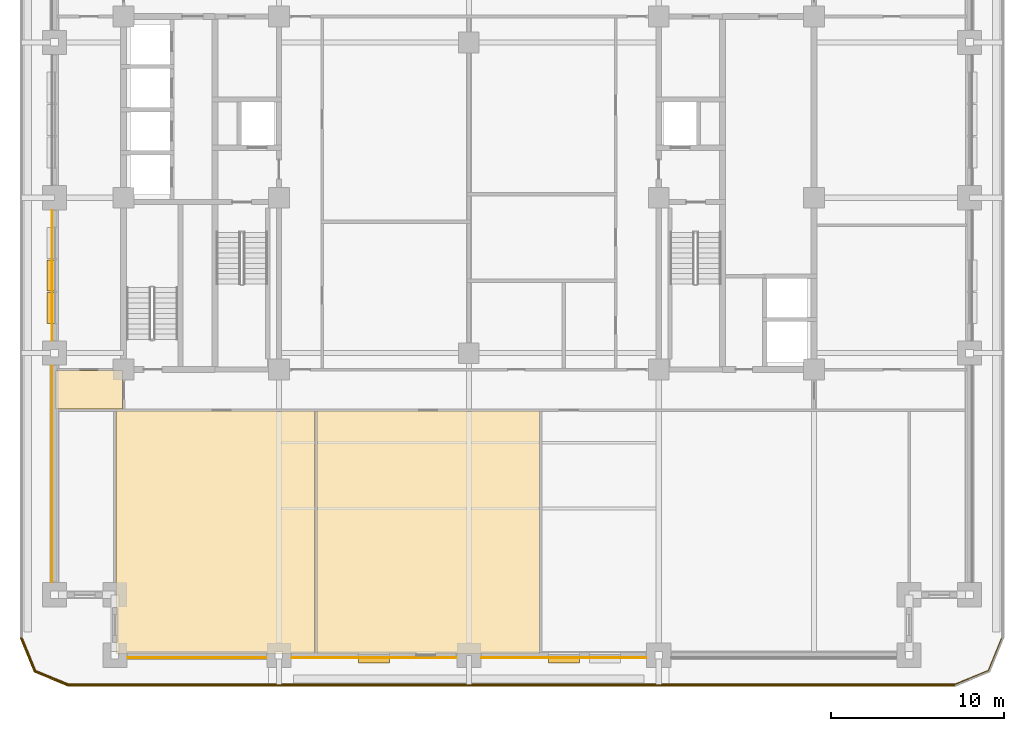
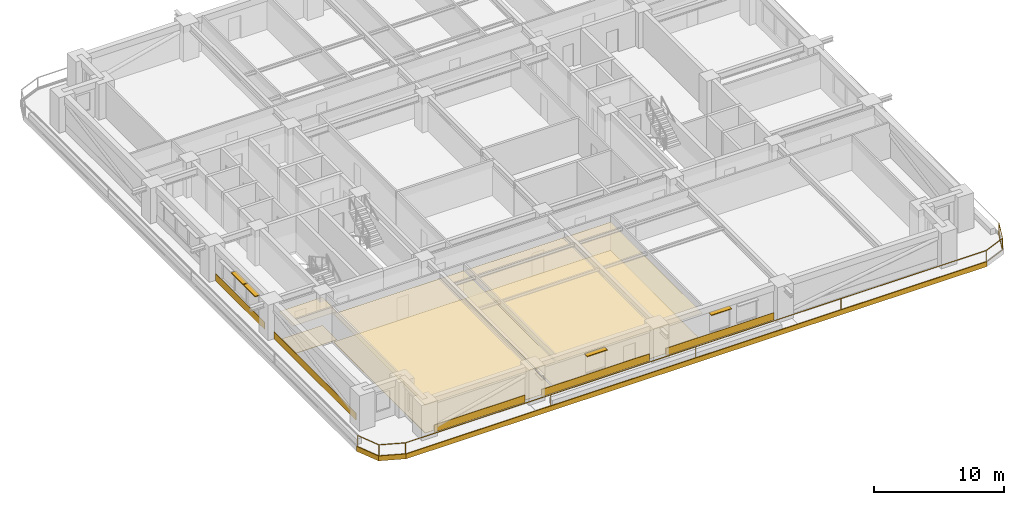
# One storey, part 7 of 14: 14 coverings, 4 shading devices, 1 railing.
"""IFC4 building model written with IfcOpenShell, lengths in metres."""

from ifc_helpers import new_model, si_unit, direction, frame, frame_2d, origin, origin_2d, place, context, subcontext, project, spatial, polyline, rectangle, outline, extrude, material, layer, layer_set, type_object, element, save


model = new_model("IFC4")

# Units and contexts
model_context = context("Model", 3, precision=1e-05, world=origin(), true_north=direction((0.0, 1.0)))
body_context = subcontext(model_context, "Body", "Model", "MODEL_VIEW")
ifc_project = project(units=[si_unit("LENGTHUNIT", "METRE"), si_unit("AREAUNIT", "SQUARE_METRE"), si_unit("VOLUMEUNIT", "CUBIC_METRE"), si_unit("PLANEANGLEUNIT", "RADIAN"), si_unit("MASSUNIT", "GRAM", prefix="KILO")], contexts=[model_context])

# Site, building, storey
site_placement = place(None, origin())
site = spatial("IfcSite", under=ifc_project, at=site_placement, CompositionType="ELEMENT")
building_placement = place(site_placement, origin())
building = spatial("IfcBuilding", under=site, at=building_placement, Name="Zulmaris Gate Convention Tower", CompositionType="ELEMENT")
storey_placement = place(building_placement, frame((0.0, 0.0, 45.050048828125)))
storey = spatial("IfcBuildingStorey", under=building, at=storey_placement, Name="L10", CompositionType="ELEMENT", Elevation=45.050048828125)

# Coverings
ifc_material_1 = material(Name="Precast concrete C40/50", Category="concrete")
ifc_layer_1 = layer(ifc_material_1, 0.0400390625, Name="Precast concrete C40/50")
ifc_layer_set_1 = layer_set([ifc_layer_1], Name="Precast concrete C40/50")
covering_type_1 = type_object("IfcCoveringType", Name="CLAD-SPANDREL-PRECAST", PredefinedType="CLADDING", material=ifc_layer_set_1)
covering_1_placement = place(storey_placement, frame((-19.77001953125, -26.64990234375, 0.0), z_axis=(0.0, 0.0, 1.0), x_axis=(1.0, 0.0, 0.0)))
element("IfcCovering", 1, at=covering_1_placement, inside=storey, type_object=covering_type_1, Name="CLD-L10-S-0_0", PredefinedType="CLADDING", context=body_context, shape_type="SweptSolid", body=[
    extrude(rectangle(XDim=8.0400390625, YDim=0.0400390625, at=frame_2d((4.02001953125, 0.0))), origin(), (0.0, 0.0, 1.0), 0.679931640625),
])
for number, where, z_axis, x_axis, name in (
    (2, (-10.27001953125, -26.64990234375, 0.0), (0.0, 0.0, 1.0), (1.0, 0.0, 0.0), "CLD-L10-S-1_0"),
    (3, (0.72998046875, -26.64990234375, 0.0), (0.0, 0.0, 1.0), (1.0, 0.0, 0.0), "CLD-L10-S-2_0"),
):
    element("IfcCovering", number, at=place(storey_placement, frame(where, z_axis=z_axis, x_axis=x_axis)), inside=storey, type_object=covering_type_1, Name=name, PredefinedType="CLADDING", context=body_context, shape_type="SweptSolid", body=[
        extrude(rectangle(XDim=9.5400390625, YDim=0.0400390625, at=frame_2d((4.77001953125, 0.0))), origin(), (0.0, 0.0, 1.0), 0.679931640625),
    ])
covering_2_placement = place(storey_placement, frame((-24.14990234375, -9.72998046875, 0.0), z_axis=(0.0, 0.0, 1.0), x_axis=(0.0, -1.0, 0.0)))
element("IfcCovering", 4, at=covering_2_placement, inside=storey, type_object=covering_type_1, Name="CLD-L10-W-0_0", PredefinedType="CLADDING", context=body_context, shape_type="SweptSolid", body=[
    extrude(rectangle(XDim=12.5400390625, YDim=0.0400390625, at=frame_2d((6.27001953125, 0.0))), origin(), (0.0, 0.0, 1.0), 0.679931640625),
])
covering_3_placement = place(storey_placement, frame((-24.14990234375, -0.72998046875, 0.0), z_axis=(0.0, 0.0, 1.0), x_axis=(0.0, -1.0, 0.0)))
element("IfcCovering", 5, at=covering_3_placement, inside=storey, type_object=covering_type_1, Name="CLD-L10-W-1_0", PredefinedType="CLADDING", context=body_context, shape_type="SweptSolid", body=[
    extrude(rectangle(XDim=7.5400390625, YDim=0.0400390625, at=frame_2d((3.77001953125, 0.0))), origin(), (0.0, 0.0, 1.0), 0.679931640625),
])
ifc_material_2 = material(Name="White Glazed Architectural Precast Concrete C40/50", Category="concrete")
ifc_layer_2 = layer(ifc_material_2, 0.080078125, Name="White Glazed Architectural Precast Concrete C40/50")
ifc_layer_set_2 = layer_set([ifc_layer_2], Name="White Glazed Architectural Precast Concrete C40/50")
covering_type_2 = type_object("IfcCoveringType", Name="CLAD-TRAY-FASCIA", PredefinedType="CLADDING", material=ifc_layer_set_2)
covering_4_placement = place(storey_placement, frame((-25.962890625, -25.484619140625, -0.2900390625), z_axis=(0.0, 0.0, 1.0), x_axis=(0.382656984709, -0.923890487046, 0.0)))
element("IfcCovering", 6, at=covering_4_placement, inside=storey, type_object=covering_type_2, Name="FSC-L10-TR-00", PredefinedType="CLADDING", context=body_context, shape_type="SweptSolid", body=[
    extrude(rectangle(XDim=2.14306640625, YDim=0.080078125, at=frame_2d((1.071533203125, 0.0))), origin(), (0.0, 0.0, 1.0), 0.4599609375),
])
covering_5_placement = place(storey_placement, frame((-25.16455078125, -27.44287109375, -0.2900390625), z_axis=(0.0, 0.0, 1.0), x_axis=(0.923873803533, -0.382697263049, 0.0)))
element("IfcCovering", 7, at=covering_5_placement, inside=storey, type_object=covering_type_2, Name="FSC-L10-TR-01", PredefinedType="CLADDING", context=body_context, shape_type="SweptSolid", body=[
    extrude(rectangle(XDim=2.142822265625, YDim=0.080078125, at=frame_2d((1.0712890625, 0.0))), origin(), (0.0, 0.0, 1.0), 0.4599609375),
])
covering_6_placement = place(storey_placement, frame((-23.199951171875, -28.260009765625, -0.2900390625), z_axis=(0.0, 0.0, 1.0), x_axis=(1.0, 0.0, 0.0)))
element("IfcCovering", 8, at=covering_6_placement, inside=storey, type_object=covering_type_2, Name="FSC-L10-TR-02", PredefinedType="CLADDING", context=body_context, shape_type="SweptSolid", body=[
    extrude(rectangle(XDim=51.39990234375, YDim=0.080078125, at=frame_2d((25.699951171875, 0.0))), origin(), (0.0, 0.0, 1.0), 0.4599609375),
])
ifc_material_3 = material(Name="Mineral Fibre Acoustic Ceiling Tile")
ifc_layer_3 = layer(ifc_material_3, 0.02001953125, Name="Mineral Fibre Acoustic Ceiling Tile")
ifc_layer_set_3 = layer_set([ifc_layer_3], Name="Mineral Fibre Acoustic Ceiling Tile")
covering_type_3 = type_object("IfcCoveringType", Name="CLG-ACOUSTIC-600", PredefinedType="CEILING", material=ifc_layer_set_3)
covering_7_placement = place(storey_placement, frame((0.0, 0.0, 2.6279296875)))
element("IfcCovering", 9, at=covering_7_placement, inside=storey, type_object=covering_type_3, Name="CLG-L10-R36", PredefinedType="CEILING", context=body_context, shape_type="SweptSolid", body=[
    extrude(outline(polyline([(-20.43994140625, -26.43994140625), (-8.909912109375, -26.43994140625), (-8.909912109375, -12.360107421875), (-20.43994140625, -12.360107421875), (-20.43994140625, -26.43994140625)])), origin(), (0.0, 0.0, 1.0), 0.02001953125),
])
covering_8_placement = place(storey_placement, frame((0.0, 0.0, 2.6279296875)))
element("IfcCovering", 10, at=covering_8_placement, inside=storey, type_object=covering_type_3, Name="CLG-L10-R37", PredefinedType="CEILING", context=body_context, shape_type="SweptSolid", body=[
    extrude(outline(polyline([(-8.7900390625, -26.43994140625), (4.090087890625, -26.43994140625), (4.090087890625, -12.360107421875), (-8.7900390625, -12.360107421875), (-8.7900390625, -26.43994140625)])), origin(), (0.0, 0.0, 1.0), 0.02001953125),
])
covering_9_placement = place(storey_placement, frame((0.0, 0.0, 2.6279296875)))
element("IfcCovering", 11, at=covering_9_placement, inside=storey, type_object=covering_type_3, Name="CLG-L10-R46", PredefinedType="CEILING", context=body_context, shape_type="SweptSolid", body=[
    extrude(outline(polyline([(-23.93994140625, -12.239990234375), (-20.06005859375, -12.239990234375), (-20.06005859375, -10.010009765625), (-23.93994140625, -10.010009765625), (-23.93994140625, -12.239990234375)])), origin(), (0.0, 0.0, 1.0), 0.02001953125),
])
ifc_material_4 = material(Name="Woven Acoustic Wool Carpet Tile")
ifc_layer_4 = layer(ifc_material_4, 0.02001953125, Name="Woven Acoustic Wool Carpet Tile")
ifc_layer_set_4 = layer_set([ifc_layer_4], Name="Woven Acoustic Wool Carpet Tile")
covering_type_4 = type_object("IfcCoveringType", Name="FLR-CARPET-12", PredefinedType="FLOORING", material=ifc_layer_set_4)
covering_10_placement = place(storey_placement, origin())
element("IfcCovering", 12, at=covering_10_placement, inside=storey, type_object=covering_type_4, Name="FLR-L10-R36", PredefinedType="FLOORING", context=body_context, shape_type="SweptSolid", body=[
    extrude(outline(polyline([(-20.43994140625, -26.43994140625), (-8.909912109375, -26.43994140625), (-8.909912109375, -12.360107421875), (-20.43994140625, -12.360107421875), (-20.43994140625, -26.43994140625)])), origin(), (0.0, 0.0, 1.0), 0.02001953125),
])
covering_11_placement = place(storey_placement, origin())
element("IfcCovering", 13, at=covering_11_placement, inside=storey, type_object=covering_type_4, Name="FLR-L10-R37", PredefinedType="FLOORING", context=body_context, shape_type="SweptSolid", body=[
    extrude(outline(polyline([(-8.7900390625, -26.43994140625), (4.090087890625, -26.43994140625), (4.090087890625, -12.360107421875), (-8.7900390625, -12.360107421875), (-8.7900390625, -26.43994140625)])), origin(), (0.0, 0.0, 1.0), 0.02001953125),
])
covering_12_placement = place(storey_placement, origin())
element("IfcCovering", 14, at=covering_12_placement, inside=storey, type_object=covering_type_4, Name="FLR-L10-R46", PredefinedType="FLOORING", context=body_context, shape_type="SweptSolid", body=[
    extrude(outline(polyline([(-23.93994140625, -12.239990234375), (-20.06005859375, -12.239990234375), (-20.06005859375, -10.010009765625), (-23.93994140625, -10.010009765625), (-23.93994140625, -12.239990234375)])), origin(), (0.0, 0.0, 1.0), 0.02001953125),
])

# Railing
ifc_material_5 = material(Name="Laminated Glass and Stainless Steel", Category="steel")
railing_type = type_object("IfcRailingType", Name="RL-BALC-1150", PredefinedType="BALUSTRADE", material=ifc_material_5)
railing_placement = place(storey_placement, frame((-25.8798828125, -25.5, 0.010009765625)))
element("IfcRailing", 15, at=railing_placement, inside=storey, type_object=railing_type, Name="RL-L10-BALC-S", PredefinedType="BALUSTRADE", context=body_context, shape_type="SweptSolid", body=[
    extrude(rectangle(XDim=0.048095703125, YDim=0.048095703125, at=origin_2d()), frame((0.0, 0.0, 1.1259765625), z_axis=(0.382670664694, -0.92388482095, 0.0), x_axis=(0.92388482095, 0.382670664694, 0.0)), (0.0, 0.0, 1.0), 2.051025390625),
    extrude(rectangle(XDim=0.048095703125, YDim=0.048095703125, at=origin_2d()), frame((0.0, 0.0, 0.02392578125), z_axis=(0.382670664694, -0.92388482095, 0.0), x_axis=(0.92388482095, 0.382670664694, 0.0)), (0.0, 0.0, 1.0), 2.051025390625),
    extrude(rectangle(XDim=0.048095703125, YDim=0.048095703125, at=origin_2d()), frame((0.784912109375, -1.89501953125, 1.1259765625), z_axis=(0.92388482095, -0.382670664694, 0.0), x_axis=(0.382670664694, 0.92388482095, 0.0)), (0.0, 0.0, 1.0), 2.051025390625),
    extrude(rectangle(XDim=0.048095703125, YDim=0.048095703125, at=origin_2d()), frame((0.784912109375, -1.89501953125, 0.02392578125), z_axis=(0.92388482095, -0.382670664694, 0.0), x_axis=(0.382670664694, 0.92388482095, 0.0)), (0.0, 0.0, 1.0), 2.051025390625),
    extrude(rectangle(XDim=0.048095703125, YDim=0.048095703125, at=origin_2d()), frame((2.679931640625, -2.679931640625, 1.1259765625), z_axis=(1.0, 0.0, 0.0), x_axis=(0.0, 1.0, 0.0)), (0.0, 0.0, 1.0), 51.39990234375),
    extrude(rectangle(XDim=0.048095703125, YDim=0.048095703125, at=origin_2d()), frame((2.679931640625, -2.679931640625, 0.02392578125), z_axis=(1.0, 0.0, 0.0), x_axis=(0.0, 1.0, 0.0)), (0.0, 0.0, 1.0), 51.39990234375),
    extrude(rectangle(XDim=0.048095703125, YDim=0.048095703125, at=origin_2d()), frame((54.079833984375, -2.679931640625, 1.1259765625), z_axis=(0.92388482095, 0.382670664694, 0.0), x_axis=(-0.382670664694, 0.92388482095, 0.0)), (0.0, 0.0, 1.0), 2.051025390625),
    extrude(rectangle(XDim=0.048095703125, YDim=0.048095703125, at=origin_2d()), frame((54.079833984375, -2.679931640625, 0.02392578125), z_axis=(0.92388482095, 0.382670664694, 0.0), x_axis=(-0.382670664694, 0.92388482095, 0.0)), (0.0, 0.0, 1.0), 2.051025390625),
    extrude(rectangle(XDim=0.048095703125, YDim=0.048095703125, at=origin_2d()), frame((55.974853515625, -1.89501953125, 1.1259765625), z_axis=(0.382670664694, 0.92388482095, 0.0), x_axis=(-0.92388482095, 0.382670664694, 0.0)), (0.0, 0.0, 1.0), 2.051025390625),
    extrude(rectangle(XDim=0.048095703125, YDim=0.048095703125, at=origin_2d()), frame((55.974853515625, -1.89501953125, 0.02392578125), z_axis=(0.382670664694, 0.92388482095, 0.0), x_axis=(-0.92388482095, 0.382670664694, 0.0)), (0.0, 0.0, 1.0), 2.051025390625),
    extrude(rectangle(XDim=0.0419921875, YDim=0.0419921875, at=origin_2d()), origin(), (0.0, 0.0, 1.0), 1.101806640625),
    extrude(rectangle(XDim=0.0419921875, YDim=0.0419921875, at=origin_2d()), frame((0.784912109375, -1.89501953125, 0.0)), (0.0, 0.0, 1.0), 1.101806640625),
    extrude(rectangle(XDim=0.0419921875, YDim=0.0419921875, at=origin_2d()), frame((2.679931640625, -2.679931640625, 0.0)), (0.0, 0.0, 1.0), 1.101806640625),
    extrude(rectangle(XDim=0.0419921875, YDim=0.0419921875, at=origin_2d()), frame((15.52978515625, -2.679931640625, 0.0)), (0.0, 0.0, 1.0), 1.101806640625),
    extrude(rectangle(XDim=0.0419921875, YDim=0.0419921875, at=origin_2d()), frame((28.3798828125, -2.679931640625, 0.0)), (0.0, 0.0, 1.0), 1.101806640625),
    extrude(rectangle(XDim=0.0419921875, YDim=0.0419921875, at=origin_2d()), frame((41.22998046875, -2.679931640625, 0.0)), (0.0, 0.0, 1.0), 1.101806640625),
    extrude(rectangle(XDim=0.0419921875, YDim=0.0419921875, at=origin_2d()), frame((54.079833984375, -2.679931640625, 0.0)), (0.0, 0.0, 1.0), 1.101806640625),
    extrude(rectangle(XDim=0.0419921875, YDim=0.0419921875, at=origin_2d()), frame((55.974853515625, -1.89501953125, 0.0)), (0.0, 0.0, 1.0), 1.101806640625),
    extrude(rectangle(XDim=0.0419921875, YDim=0.0419921875, at=origin_2d()), frame((56.759765625, 0.0, 0.0)), (0.0, 0.0, 1.0), 1.101806640625),
])

# Shading devices
ifc_material_6 = material(Name="Glazed Ceramic Terracotta", Category="masonry")
ifc_layer_5 = layer(ifc_material_6, 0.070068359375, Name="Glazed Ceramic Terracotta")
ifc_layer_set_5 = layer_set([ifc_layer_5], Name="Glazed Ceramic Terracotta")
shading_device_type = type_object("IfcShadingDeviceType", Name="SHD-SUNSHADE-TC", PredefinedType="AWNING", material=ifc_layer_set_5)
for number, where, z_axis, x_axis, name in (
    (16, (-6.39990234375, -26.719970703125, 2.530029296875), (0.0, 0.0, 1.0), (1.0, 0.0, 0.0), "SHD-EW-L10-S-1_0-2"),
    (17, (4.60009765625, -26.719970703125, 2.530029296875), (0.0, 0.0, 1.0), (1.0, 0.0, 0.0), "SHD-EW-L10-S-2_0-2"),
    (18, (-24.219970703125, -3.60009765625, 2.530029296875), (0.0, 0.0, 1.0), (0.0, -1.0, 0.0), "SHD-EW-L10-W-1_0-2"),
    (19, (-24.219970703125, -5.485107421875, 2.530029296875), (0.0, 0.0, 1.0), (0.0, -1.0, 0.0), "SHD-EW-L10-W-1_0-3"),
):
    element("IfcShadingDevice", number, at=place(storey_placement, frame(where, z_axis=z_axis, x_axis=x_axis)), inside=storey, type_object=shading_device_type, Name=name, PredefinedType="AWNING", context=body_context, shape_type="SweptSolid", body=[
        extrude(rectangle(XDim=1.7998046875, YDim=0.43994140625, at=frame_2d((0.89990234375, 0.0))), origin(), (0.0, 0.0, 1.0), 0.06982421875),
    ])

save(model, "model.ifc")
